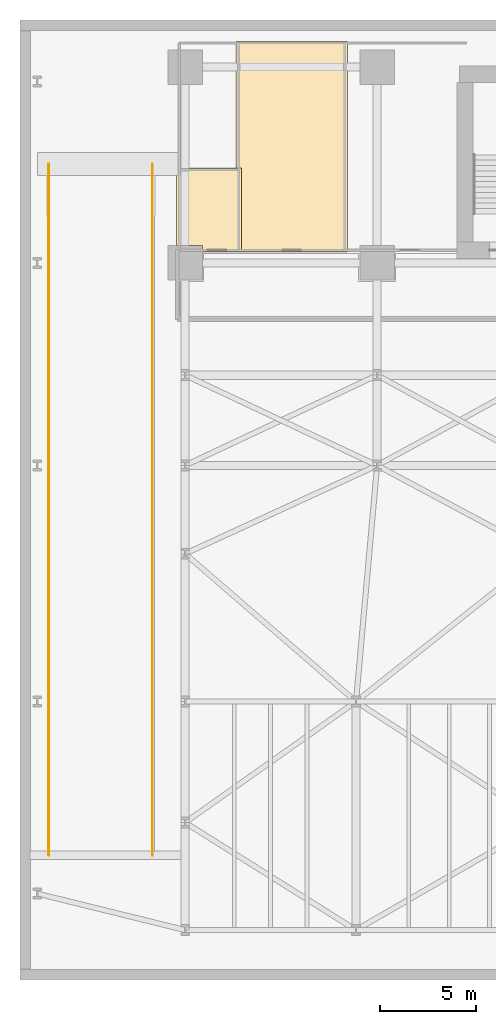
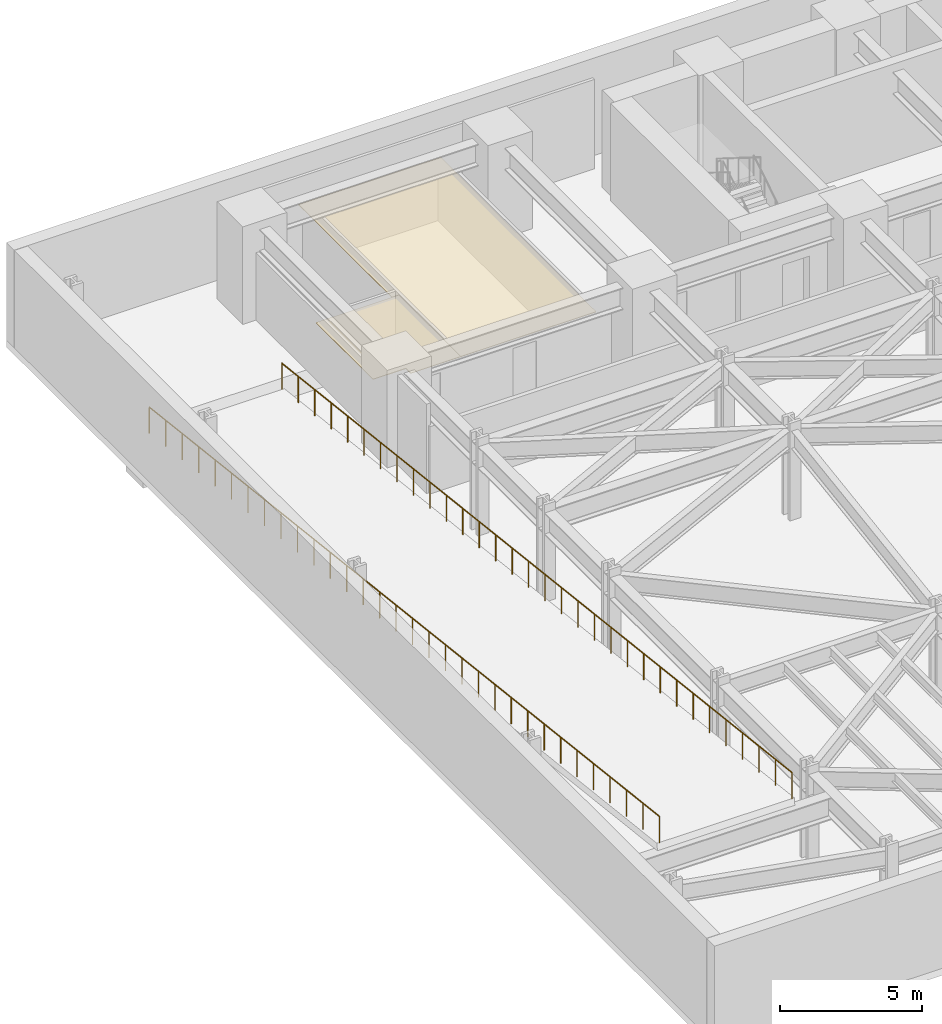
# One storey, part 6 of 11: 2 coverings, 2 railings.
"""IFC4 building model written with IfcOpenShell, lengths in metres."""

from ifc_helpers import new_model, si_unit, direction, frame, origin, origin_2d, place, context, subcontext, project, spatial, polyline, circle, outline, extrude, material, layer, layer_set, type_object, element, save


model = new_model("IFC4")

# Units and contexts
model_context = context("Model", 3, precision=1e-05, world=origin(), true_north=direction((0.0, 1.0)))
body_context = subcontext(model_context, "Body", "Model", "MODEL_VIEW")
ifc_project = project(units=[si_unit("LENGTHUNIT", "METRE"), si_unit("AREAUNIT", "SQUARE_METRE"), si_unit("VOLUMEUNIT", "CUBIC_METRE"), si_unit("PLANEANGLEUNIT", "RADIAN"), si_unit("MASSUNIT", "GRAM", prefix="KILO")], contexts=[model_context])

# Site, building, storey
site_placement = place(None, origin())
site = spatial("IfcSite", under=ifc_project, at=site_placement, CompositionType="ELEMENT")
building_placement = place(site_placement, origin())
building = spatial("IfcBuilding", under=site, at=building_placement, Name="Kravanh Interchange Tower", CompositionType="ELEMENT")
storey_placement = place(building_placement, frame((0.0, 0.0, -4.199951171875)))
storey = spatial("IfcBuildingStorey", under=building, at=storey_placement, Name="B1", CompositionType="ELEMENT", Elevation=-4.199951171875)

# Coverings
ifc_material_1 = material(Name="Acoustic Mineral Fibre Tile on Aluminium Grid", Category="aluminium")
ifc_layer_1 = layer(ifc_material_1, 0.02490234375)
ifc_layer_set_1 = layer_set([ifc_layer_1], Name="Perforated Acoustic Mineral Ceiling 25mm")
covering_type = type_object("IfcCoveringType", Name="Perforated Acoustic Mineral Ceiling 25mm", PredefinedType="CEILING", material=ifc_layer_set_1)
covering_1_placement = place(storey_placement, frame((0.0, 0.0, 2.550048828125)))
element("IfcCovering", 1, at=covering_1_placement, inside=storey, type_object=covering_type, Name="B1 Accessible WC Suspended Ceiling", PredefinedType="CEILING", context=body_context, shape_type="SweptSolid", body=[
    extrude(outline(polyline([(8.159912109375, 42.280029296875), (11.5400390625, 42.280029296875), (11.5400390625, 37.909912109375), (9.5, 37.909912109375), (9.5, 38.25), (8.159912109375, 38.25), (8.159912109375, 42.280029296875)])), origin(), (0.0, 0.0, 1.0), 0.02490234375),
])
covering_2_placement = place(storey_placement, frame((0.0, 0.0, 2.550048828125)))
element("IfcCovering", 2, at=covering_2_placement, inside=storey, type_object=covering_type, Name="B1 Female WC Suspended Ceiling", PredefinedType="CEILING", context=body_context, shape_type="SweptSolid", body=[
    extrude(outline(polyline([(17.06005859375, 48.889892578125), (17.06005859375, 37.909912109375), (11.260009765625, 37.909912109375), (11.260009765625, 48.889892578125), (17.06005859375, 48.889892578125)])), origin(), (0.0, 0.0, 1.0), 0.02490234375),
])

# Railings
ifc_material_2 = material(Name="Structural Steel S355", Category="steel")
ifc_layer_2 = layer(ifc_material_2, 0.070068359375)
ifc_layer_set_2 = layer_set([ifc_layer_2], Name="Wind Storey Perimeter Safety Guardrail Structural Steel S355 1150mm")
railing_type = type_object("IfcRailingType", Name="Wind Storey Perimeter Safety Guardrail Structural Steel S355 1150mm", PredefinedType="GUARDRAIL", material=ifc_layer_set_2)
railing_1_placement = place(storey_placement, frame((1.5, 42.5, 0.0)))
element("IfcRailing", 3, at=railing_1_placement, inside=storey, type_object=railing_type, Name="Vehicle Ramp R2 Sloped Guardrail W", PredefinedType="GUARDRAIL", context=body_context, shape_type="SweptSolid", body=[
    extrude(circle(Radius=0.02392578125, at=origin_2d()), frame((0.0, 0.0, 1.1259765625), z_axis=(0.0, -0.993263294149, 0.115879370451), x_axis=(1.0, 0.0, 0.0)), (0.0, 0.0, 1.0), 36.244140625),
    extrude(circle(Radius=0.02099609375, at=origin_2d()), origin(), (0.0, 0.0, 1.0), 1.101806640625),
    extrude(circle(Radius=0.02099609375, at=origin_2d()), frame((0.0, -1.161376953125, 0.135498046875)), (0.0, 0.0, 1.0), 1.101806640625),
    extrude(circle(Radius=0.02099609375, at=origin_2d()), frame((0.0, -2.322509765625, 0.27099609375)), (0.0, 0.0, 1.0), 1.101806640625),
    extrude(circle(Radius=0.02099609375, at=origin_2d()), frame((0.0, -3.48388671875, 0.406494140625)), (0.0, 0.0, 1.0), 1.101806640625),
    extrude(circle(Radius=0.02099609375, at=origin_2d()), frame((0.0, -4.645263671875, 0.5419921875)), (0.0, 0.0, 1.0), 1.101806640625),
    extrude(circle(Radius=0.02099609375, at=origin_2d()), frame((0.0, -5.806396484375, 0.677490234375)), (0.0, 0.0, 1.0), 1.101806640625),
    extrude(circle(Radius=0.02099609375, at=origin_2d()), frame((0.0, -6.9677734375, 0.81298828125)), (0.0, 0.0, 1.0), 1.101806640625),
    extrude(circle(Radius=0.02099609375, at=origin_2d()), frame((0.0, -8.129150390625, 0.948486328125)), (0.0, 0.0, 1.0), 1.101806640625),
    extrude(circle(Radius=0.02099609375, at=origin_2d()), frame((0.0, -9.290283203125, 1.083740234375)), (0.0, 0.0, 1.0), 1.101806640625),
    extrude(circle(Radius=0.02099609375, at=origin_2d()), frame((0.0, -10.45166015625, 1.21923828125)), (0.0, 0.0, 1.0), 1.101806640625),
    extrude(circle(Radius=0.02099609375, at=origin_2d()), frame((0.0, -11.61279296875, 1.354736328125)), (0.0, 0.0, 1.0), 1.101806640625),
    extrude(circle(Radius=0.02099609375, at=origin_2d()), frame((0.0, -12.774169921875, 1.490234375)), (0.0, 0.0, 1.0), 1.101806640625),
    extrude(circle(Radius=0.02099609375, at=origin_2d()), frame((0.0, -13.935546875, 1.625732421875)), (0.0, 0.0, 1.0), 1.101806640625),
    extrude(circle(Radius=0.02099609375, at=origin_2d()), frame((0.0, -15.0966796875, 1.76123046875)), (0.0, 0.0, 1.0), 1.101806640625),
    extrude(circle(Radius=0.02099609375, at=origin_2d()), frame((0.0, -16.258056640625, 1.896728515625)), (0.0, 0.0, 1.0), 1.101806640625),
    extrude(circle(Radius=0.02099609375, at=origin_2d()), frame((0.0, -17.41943359375, 2.0322265625)), (0.0, 0.0, 1.0), 1.101806640625),
    extrude(circle(Radius=0.02099609375, at=origin_2d()), frame((0.0, -18.58056640625, 2.167724609375)), (0.0, 0.0, 1.0), 1.101806640625),
    extrude(circle(Radius=0.02099609375, at=origin_2d()), frame((0.0, -19.741943359375, 2.30322265625)), (0.0, 0.0, 1.0), 1.101806640625),
    extrude(circle(Radius=0.02099609375, at=origin_2d()), frame((0.0, -20.9033203125, 2.438720703125)), (0.0, 0.0, 1.0), 1.101806640625),
    extrude(circle(Radius=0.02099609375, at=origin_2d()), frame((0.0, -22.064453125, 2.57421875)), (0.0, 0.0, 1.0), 1.101806640625),
    extrude(circle(Radius=0.02099609375, at=origin_2d()), frame((0.0, -23.225830078125, 2.709716796875)), (0.0, 0.0, 1.0), 1.101806640625),
    extrude(circle(Radius=0.02099609375, at=origin_2d()), frame((0.0, -24.38720703125, 2.84521484375)), (0.0, 0.0, 1.0), 1.101806640625),
    extrude(circle(Radius=0.02099609375, at=origin_2d()), frame((0.0, -25.54833984375, 2.980712890625)), (0.0, 0.0, 1.0), 1.101806640625),
    extrude(circle(Radius=0.02099609375, at=origin_2d()), frame((0.0, -26.709716796875, 3.1162109375)), (0.0, 0.0, 1.0), 1.101806640625),
    extrude(circle(Radius=0.02099609375, at=origin_2d()), frame((0.0, -27.870849609375, 3.25146484375)), (0.0, 0.0, 1.0), 1.101806640625),
    extrude(circle(Radius=0.02099609375, at=origin_2d()), frame((0.0, -29.0322265625, 3.386962890625)), (0.0, 0.0, 1.0), 1.101806640625),
    extrude(circle(Radius=0.02099609375, at=origin_2d()), frame((0.0, -30.193603515625, 3.5224609375)), (0.0, 0.0, 1.0), 1.101806640625),
    extrude(circle(Radius=0.02099609375, at=origin_2d()), frame((0.0, -31.354736328125, 3.657958984375)), (0.0, 0.0, 1.0), 1.101806640625),
    extrude(circle(Radius=0.02099609375, at=origin_2d()), frame((0.0, -32.51611328125, 3.79345703125)), (0.0, 0.0, 1.0), 1.101806640625),
    extrude(circle(Radius=0.02099609375, at=origin_2d()), frame((0.0, -33.677490234375, 3.928955078125)), (0.0, 0.0, 1.0), 1.101806640625),
    extrude(circle(Radius=0.02099609375, at=origin_2d()), frame((0.0, -34.838623046875, 4.064453125)), (0.0, 0.0, 1.0), 1.101806640625),
    extrude(circle(Radius=0.02099609375, at=origin_2d()), frame((0.0, -36.0, 4.199951171875)), (0.0, 0.0, 1.0), 1.101806640625),
])
railing_2_placement = place(storey_placement, frame((6.89990234375, 42.5, 0.0)))
element("IfcRailing", 4, at=railing_2_placement, inside=storey, type_object=railing_type, Name="Vehicle Ramp R2 Sloped Guardrail E", PredefinedType="GUARDRAIL", context=body_context, shape_type="SweptSolid", body=[
    extrude(circle(Radius=0.02392578125, at=origin_2d()), frame((0.0, 0.0, 1.1259765625), z_axis=(0.0, -0.993263294149, 0.115879370451), x_axis=(1.0, 0.0, 0.0)), (0.0, 0.0, 1.0), 36.244140625),
    extrude(circle(Radius=0.02099609375, at=origin_2d()), origin(), (0.0, 0.0, 1.0), 1.101806640625),
    extrude(circle(Radius=0.02099609375, at=origin_2d()), frame((0.0, -1.161376953125, 0.135498046875)), (0.0, 0.0, 1.0), 1.101806640625),
    extrude(circle(Radius=0.02099609375, at=origin_2d()), frame((0.0, -2.322509765625, 0.27099609375)), (0.0, 0.0, 1.0), 1.101806640625),
    extrude(circle(Radius=0.02099609375, at=origin_2d()), frame((0.0, -3.48388671875, 0.406494140625)), (0.0, 0.0, 1.0), 1.101806640625),
    extrude(circle(Radius=0.02099609375, at=origin_2d()), frame((0.0, -4.645263671875, 0.5419921875)), (0.0, 0.0, 1.0), 1.101806640625),
    extrude(circle(Radius=0.02099609375, at=origin_2d()), frame((0.0, -5.806396484375, 0.677490234375)), (0.0, 0.0, 1.0), 1.101806640625),
    extrude(circle(Radius=0.02099609375, at=origin_2d()), frame((0.0, -6.9677734375, 0.81298828125)), (0.0, 0.0, 1.0), 1.101806640625),
    extrude(circle(Radius=0.02099609375, at=origin_2d()), frame((0.0, -8.129150390625, 0.948486328125)), (0.0, 0.0, 1.0), 1.101806640625),
    extrude(circle(Radius=0.02099609375, at=origin_2d()), frame((0.0, -9.290283203125, 1.083740234375)), (0.0, 0.0, 1.0), 1.101806640625),
    extrude(circle(Radius=0.02099609375, at=origin_2d()), frame((0.0, -10.45166015625, 1.21923828125)), (0.0, 0.0, 1.0), 1.101806640625),
    extrude(circle(Radius=0.02099609375, at=origin_2d()), frame((0.0, -11.61279296875, 1.354736328125)), (0.0, 0.0, 1.0), 1.101806640625),
    extrude(circle(Radius=0.02099609375, at=origin_2d()), frame((0.0, -12.774169921875, 1.490234375)), (0.0, 0.0, 1.0), 1.101806640625),
    extrude(circle(Radius=0.02099609375, at=origin_2d()), frame((0.0, -13.935546875, 1.625732421875)), (0.0, 0.0, 1.0), 1.101806640625),
    extrude(circle(Radius=0.02099609375, at=origin_2d()), frame((0.0, -15.0966796875, 1.76123046875)), (0.0, 0.0, 1.0), 1.101806640625),
    extrude(circle(Radius=0.02099609375, at=origin_2d()), frame((0.0, -16.258056640625, 1.896728515625)), (0.0, 0.0, 1.0), 1.101806640625),
    extrude(circle(Radius=0.02099609375, at=origin_2d()), frame((0.0, -17.41943359375, 2.0322265625)), (0.0, 0.0, 1.0), 1.101806640625),
    extrude(circle(Radius=0.02099609375, at=origin_2d()), frame((0.0, -18.58056640625, 2.167724609375)), (0.0, 0.0, 1.0), 1.101806640625),
    extrude(circle(Radius=0.02099609375, at=origin_2d()), frame((0.0, -19.741943359375, 2.30322265625)), (0.0, 0.0, 1.0), 1.101806640625),
    extrude(circle(Radius=0.02099609375, at=origin_2d()), frame((0.0, -20.9033203125, 2.438720703125)), (0.0, 0.0, 1.0), 1.101806640625),
    extrude(circle(Radius=0.02099609375, at=origin_2d()), frame((0.0, -22.064453125, 2.57421875)), (0.0, 0.0, 1.0), 1.101806640625),
    extrude(circle(Radius=0.02099609375, at=origin_2d()), frame((0.0, -23.225830078125, 2.709716796875)), (0.0, 0.0, 1.0), 1.101806640625),
    extrude(circle(Radius=0.02099609375, at=origin_2d()), frame((0.0, -24.38720703125, 2.84521484375)), (0.0, 0.0, 1.0), 1.101806640625),
    extrude(circle(Radius=0.02099609375, at=origin_2d()), frame((0.0, -25.54833984375, 2.980712890625)), (0.0, 0.0, 1.0), 1.101806640625),
    extrude(circle(Radius=0.02099609375, at=origin_2d()), frame((0.0, -26.709716796875, 3.1162109375)), (0.0, 0.0, 1.0), 1.101806640625),
    extrude(circle(Radius=0.02099609375, at=origin_2d()), frame((0.0, -27.870849609375, 3.25146484375)), (0.0, 0.0, 1.0), 1.101806640625),
    extrude(circle(Radius=0.02099609375, at=origin_2d()), frame((0.0, -29.0322265625, 3.386962890625)), (0.0, 0.0, 1.0), 1.101806640625),
    extrude(circle(Radius=0.02099609375, at=origin_2d()), frame((0.0, -30.193603515625, 3.5224609375)), (0.0, 0.0, 1.0), 1.101806640625),
    extrude(circle(Radius=0.02099609375, at=origin_2d()), frame((0.0, -31.354736328125, 3.657958984375)), (0.0, 0.0, 1.0), 1.101806640625),
    extrude(circle(Radius=0.02099609375, at=origin_2d()), frame((0.0, -32.51611328125, 3.79345703125)), (0.0, 0.0, 1.0), 1.101806640625),
    extrude(circle(Radius=0.02099609375, at=origin_2d()), frame((0.0, -33.677490234375, 3.928955078125)), (0.0, 0.0, 1.0), 1.101806640625),
    extrude(circle(Radius=0.02099609375, at=origin_2d()), frame((0.0, -34.838623046875, 4.064453125)), (0.0, 0.0, 1.0), 1.101806640625),
    extrude(circle(Radius=0.02099609375, at=origin_2d()), frame((0.0, -36.0, 4.199951171875)), (0.0, 0.0, 1.0), 1.101806640625),
])

save(model, "model.ifc")
